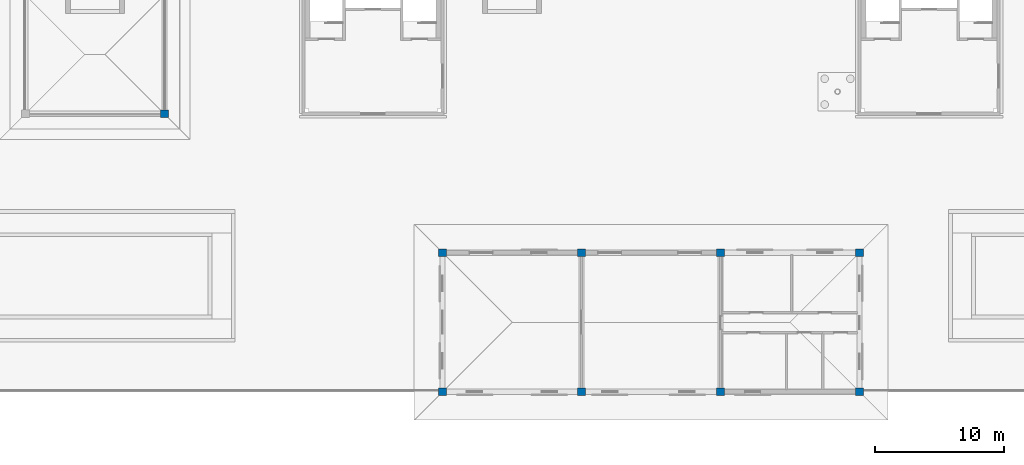
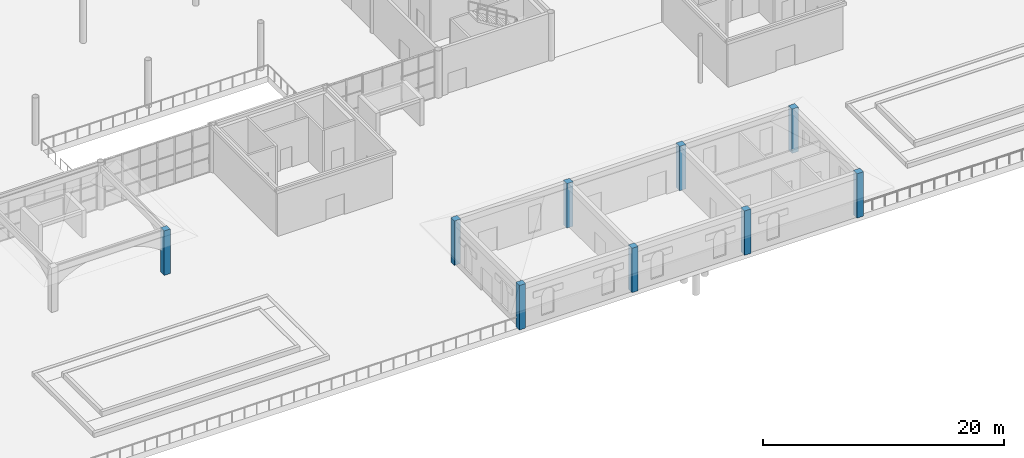
# One storey, part 4 of 91: 9 columns.
"""IFC4 building model written with IfcOpenShell, lengths in metres."""

from ifc_helpers import new_model, si_unit, direction, frame, origin, origin_2d, place, context, subcontext, project, spatial, rectangle, extrude, material, material_profile, profile_set, type_object, element, save


model = new_model("IFC4")

# Units and contexts
model_context = context("Model", 3, precision=1e-05, world=origin(), true_north=direction((0.0, 1.0)))
body_context = subcontext(model_context, "Body", "Model", "MODEL_VIEW")
ifc_project = project(units=[si_unit("LENGTHUNIT", "METRE"), si_unit("AREAUNIT", "SQUARE_METRE"), si_unit("VOLUMEUNIT", "CUBIC_METRE"), si_unit("PLANEANGLEUNIT", "RADIAN"), si_unit("MASSUNIT", "GRAM", prefix="KILO")], contexts=[model_context])

# Site, building, storey
site_placement = place(None, origin())
site = spatial("IfcSite", under=ifc_project, at=site_placement, CompositionType="ELEMENT")
building_placement = place(site_placement, origin())
building = spatial("IfcBuilding", under=site, at=building_placement, Name="Magnolia Steps Interchange", CompositionType="ELEMENT")
storey_placement = place(building_placement, origin())
storey = spatial("IfcBuildingStorey", under=building, at=storey_placement, Name="L00", CompositionType="ELEMENT", Elevation=0.0)

# Columns
ifc_material = material(Name="Concrete C40", Category="concrete")
ifc_material_profile = material_profile(ifc_material, rectangle(XDim=0.60009765625, YDim=0.60009765625, at=origin_2d()), Name="RC600x600")
ifc_profile_set = profile_set([ifc_material_profile], Name="Concrete C40")
column_type = type_object("IfcColumnType", Name="RC column 600x600", PredefinedType="COLUMN", material=ifc_profile_set)
for number, where, z_axis, x_axis, name in (
    (1, (74.800048828125, 31.60009765625, 0.0), (0.0, 0.0, 1.0), (1.0, 0.0, 0.0), "Portico column S2"),
    (2, (96.39990234375, 10.0, 0.0), (0.0, 0.0, 1.0), (1.0, 0.0, 0.0), "Pavilion column"),
    (3, (96.39990234375, 20.800048828125, 0.0), (0.0, 0.0, 1.0), (1.0, 0.0, 0.0), "Pavilion column"),
    (4, (107.199951171875, 10.0, 0.0), (0.0, 0.0, 1.0), (1.0, 0.0, 0.0), "Pavilion column"),
    (5, (107.199951171875, 20.800048828125, 0.0), (0.0, 0.0, 1.0), (1.0, 0.0, 0.0), "Pavilion column"),
    (6, (118.0, 10.0, 0.0), (0.0, 0.0, 1.0), (1.0, 0.0, 0.0), "Pavilion column"),
    (7, (118.0, 20.800048828125, 0.0), (0.0, 0.0, 1.0), (1.0, 0.0, 0.0), "Pavilion column"),
    (8, (128.800048828125, 10.0, 0.0), (0.0, 0.0, 1.0), (1.0, 0.0, 0.0), "Pavilion column"),
    (9, (128.800048828125, 20.800048828125, 0.0), (0.0, 0.0, 1.0), (1.0, 0.0, 0.0), "Pavilion column"),
):
    element("IfcColumn", number, at=place(storey_placement, frame(where, z_axis=z_axis, x_axis=x_axis)), inside=storey, type_object=column_type, Name=name, PredefinedType="COLUMN", context=body_context, shape_type="SweptSolid", body=[
        extrude(rectangle(XDim=0.60009765625, YDim=0.60009765625, at=origin_2d()), origin(), (0.0, 0.0, 1.0), 4.5),
    ])

save(model, "model.ifc")
